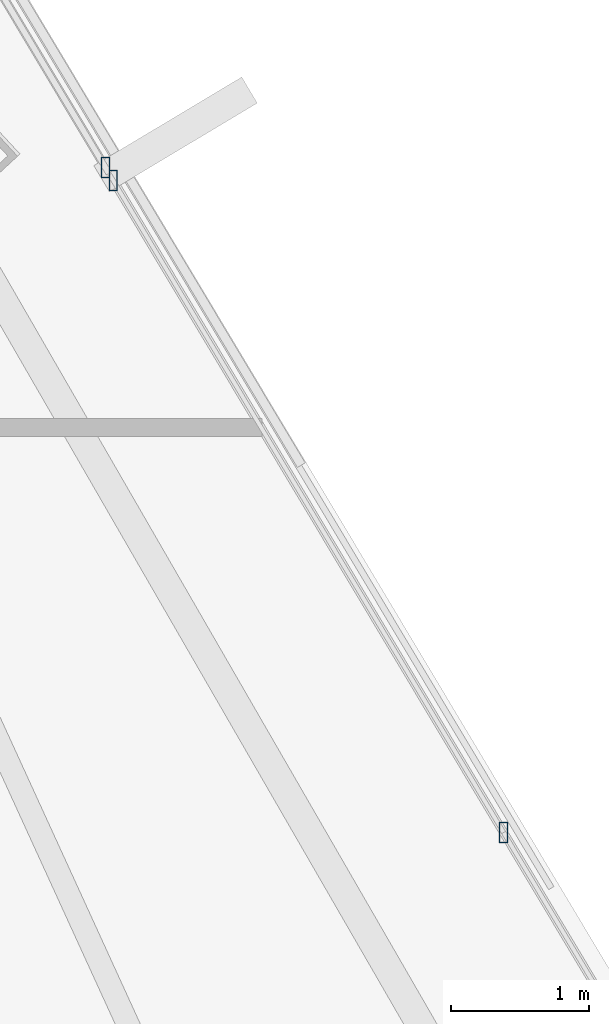
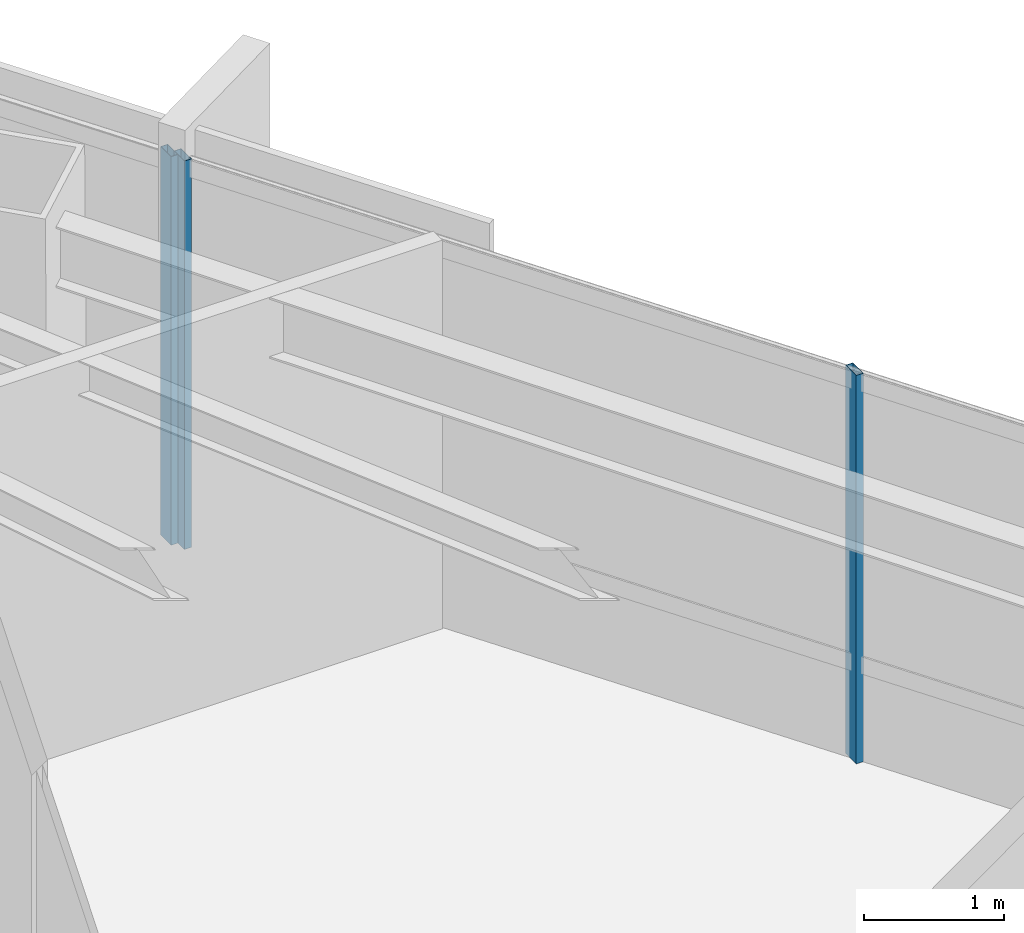
# One storey, part 23 of 41: 3 members, 2 elements without a shape of their own.
"""IFC4 building model written with IfcOpenShell, lengths in metres."""

from ifc_helpers import new_model, si_unit, direction, frame, origin, origin_2d, place, context, subcontext, project, spatial, hollow_rectangle, extrude, source, transform, mapped, material, material_profile, profile_set, type_object, type_shapes, element, aggregate, save


model = new_model("IFC4")

# Units and contexts
model_context = context("Model", 3, precision=1e-05, world=origin(), true_north=direction((0.0, 1.0)))
body_context = subcontext(model_context, "Body", "Model", "MODEL_VIEW")
ifc_project = project(units=[si_unit("LENGTHUNIT", "METRE"), si_unit("AREAUNIT", "SQUARE_METRE"), si_unit("VOLUMEUNIT", "CUBIC_METRE"), si_unit("PLANEANGLEUNIT", "RADIAN"), si_unit("MASSUNIT", "GRAM", prefix="KILO")], contexts=[model_context])

# Site, building, storey
site_placement = place(None, origin())
site = spatial("IfcSite", under=ifc_project, at=site_placement, CompositionType="ELEMENT")
building_placement = place(site_placement, origin())
building = spatial("IfcBuilding", under=site, at=building_placement, Name="Caelisora Broadcast Tower", CompositionType="ELEMENT")
storey_placement = place(building_placement, frame((0.0, 0.0, 169.449951171875)))
storey = spatial("IfcBuildingStorey", under=building, at=storey_placement, Name="L44", CompositionType="ELEMENT", Elevation=169.449951171875)

# Curtain wall, member
ifc_material_1 = material(Name="Unitised Aluminium Insulated Shadow-Box Spandrel Curtain Wall", Category="aluminium")
curtain_wall_type_1 = type_object("IfcCurtainWallType", Name="CW-SP2", PredefinedType="NOTDEFINED", material=ifc_material_1)
curtain_wall_1_placement = place(storey_placement, origin())
curtain_wall_1 = element("IfcCurtainWall", 1, at=curtain_wall_1_placement, inside=storey, type_object=curtain_wall_type_1, Name="L44 curtain wall CW-SP2", PredefinedType="NOTDEFINED")
ifc_material_2 = material(Name="Aluminium 6063-T6 Anodised Terracotta Bronze", Category="aluminium")
ifc_material_profile = material_profile(ifc_material_2, hollow_rectangle(XDim=0.06005859375, YDim=0.14990234375, WallThickness=0.00341796875, at=origin_2d()), Name="Aluminium 6063-T6 Anodised Terracotta Bronze")
ifc_profile_set = profile_set([ifc_material_profile], Name="Aluminium 6063-T6 Anodised Terracotta Bronze")
member_type = type_object("IfcMemberType", Name="CWM-03", PredefinedType="MULLION", material=ifc_profile_set)
shared_shape = source(origin(), body_context, "Body", "SweptSolid", [
    extrude(hollow_rectangle(XDim=0.06005859375, YDim=0.14990234375, WallThickness=0.00341796875, at=origin_2d()), origin(), (0.0, 0.0, 1.0), 3.400146484375),
])
type_shapes(member_type, [shared_shape])
member_1_placement = place(storey_placement, frame((56.242431640625, 27.295166015625, 0.0), z_axis=(0.0, 0.0, 1.0), x_axis=(1.0, 0.0, 0.0)))
member_1 = element("IfcMember", 2, at=member_1_placement, type_object=member_type, Name="L44-CW-B02 mullion #3", PredefinedType="MULLION", context=body_context, shape_type="MappedRepresentation", body=[
    mapped(shared_shape, transform((0.0, 0.0, 0.0), scale=1.0)),
])
aggregate(curtain_wall_1, [member_1])

# Curtain wall, members
ifc_material_3 = material(Name="Unitised Aluminium and Low-E Glass Curtain Wall", Category="glass")
curtain_wall_type_2 = type_object("IfcCurtainWallType", Name="CW-Z3", PredefinedType="NOTDEFINED", material=ifc_material_3)
curtain_wall_2_placement = place(storey_placement, origin())
curtain_wall_2 = element("IfcCurtainWall", 3, at=curtain_wall_2_placement, inside=storey, type_object=curtain_wall_type_2, Name="L44 curtain wall CW-Z3", PredefinedType="NOTDEFINED")
member_2_placement = place(storey_placement, frame((56.298828125, 27.20068359375, 0.0), z_axis=(0.0, 0.0, 1.0), x_axis=(1.0, 0.0, 0.0)))
member_2 = element("IfcMember", 4, at=member_2_placement, type_object=member_type, Name="L44-CW-B03 mullion #0", PredefinedType="MULLION", context=body_context, shape_type="MappedRepresentation", body=[
    mapped(shared_shape, transform((0.0, 0.0, 0.0), scale=1.0)),
])
member_3_placement = place(storey_placement, frame((59.12939453125, 22.47265625, 0.0), z_axis=(0.0, 0.0, 1.0), x_axis=(1.0, 0.0, 0.0)))
member_3 = element("IfcMember", 5, at=member_3_placement, type_object=member_type, Name="L44-CW-B03 mullion #1", PredefinedType="MULLION", context=body_context, shape_type="MappedRepresentation", body=[
    mapped(shared_shape, transform((0.0, 0.0, 0.0), scale=1.0)),
])
aggregate(curtain_wall_2, [member_2, member_3])

save(model, "model.ifc")
